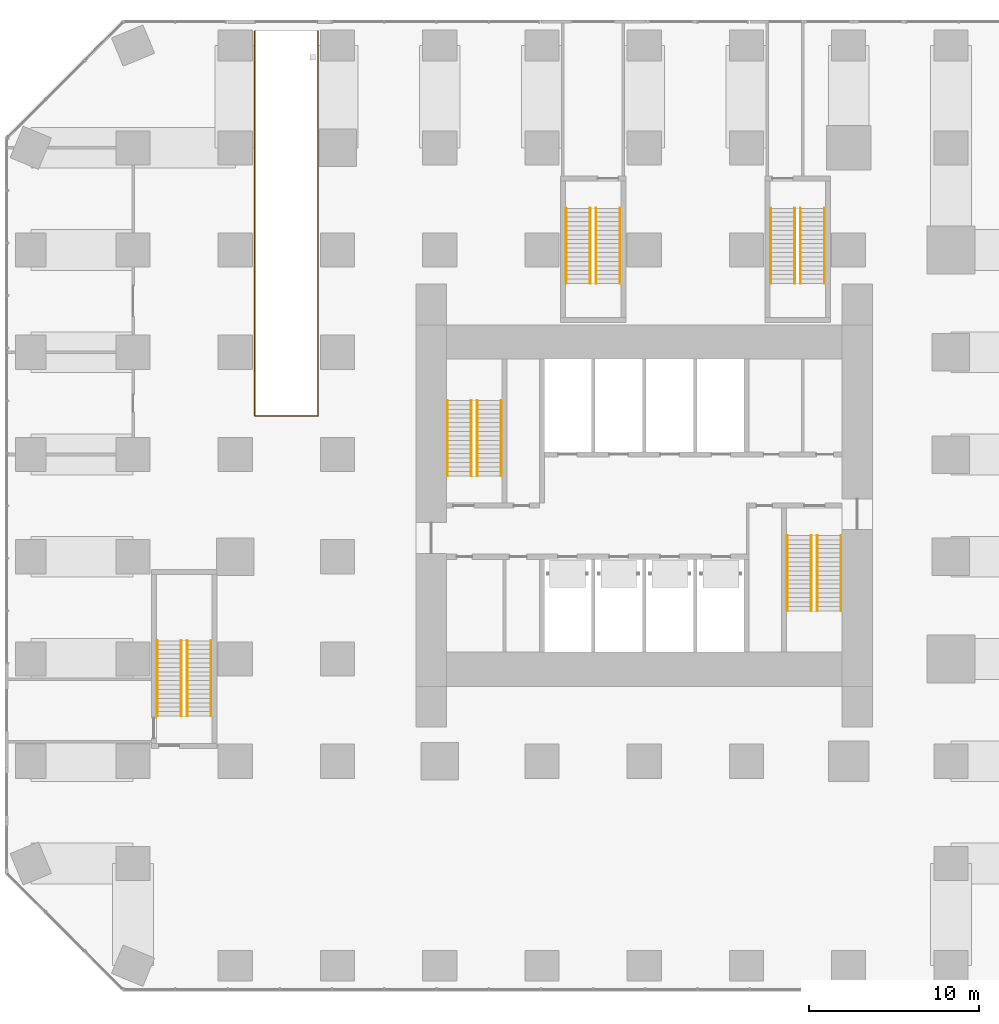
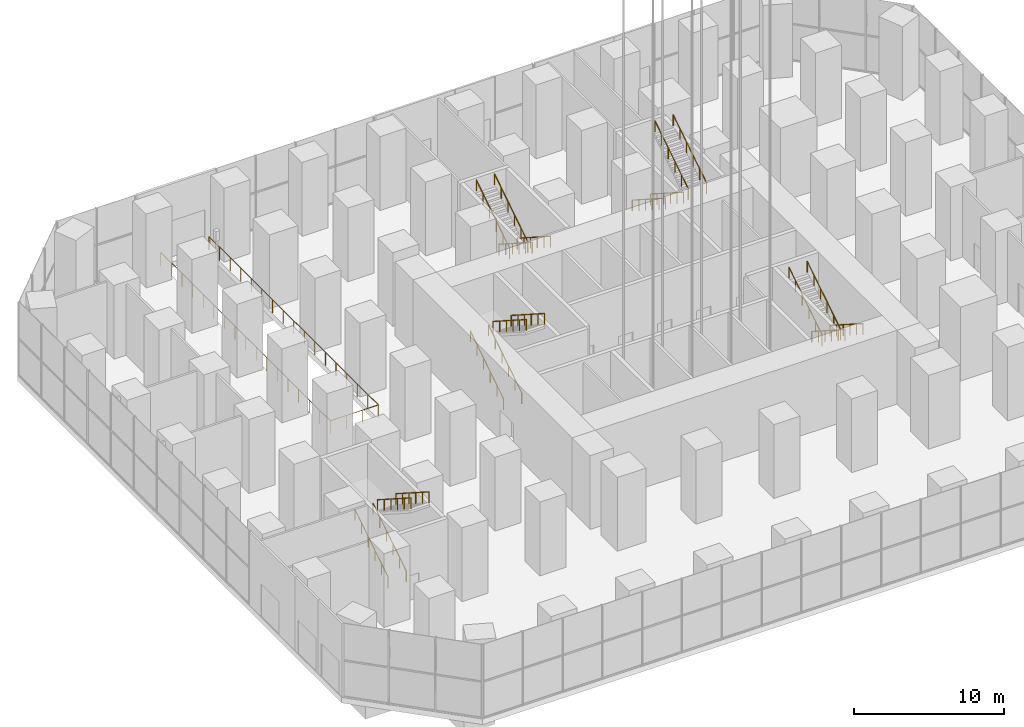
# One storey, part 16 of 21: 21 railings.
"""IFC4 building model written with IfcOpenShell, lengths in metres."""

from ifc_helpers import new_model, si_unit, direction, frame, origin, origin_2d, place, context, subcontext, project, spatial, circle, extrude, material, type_object, element, save


model = new_model("IFC4")

# Units and contexts
model_context = context("Model", 3, precision=1e-05, world=origin(), true_north=direction((0.0, 1.0)))
body_context = subcontext(model_context, "Body", "Model", "MODEL_VIEW")
ifc_project = project(units=[si_unit("LENGTHUNIT", "METRE"), si_unit("AREAUNIT", "SQUARE_METRE"), si_unit("VOLUMEUNIT", "CUBIC_METRE"), si_unit("PLANEANGLEUNIT", "RADIAN"), si_unit("MASSUNIT", "GRAM", prefix="KILO")], contexts=[model_context])

# Site, building, storey
site_placement = place(None, origin())
site = spatial("IfcSite", under=ifc_project, at=site_placement, CompositionType="ELEMENT")
building_placement = place(site_placement, origin())
building = spatial("IfcBuilding", under=site, at=building_placement, Name="Highveld Stack Headquarters", CompositionType="ELEMENT")
storey_placement = place(building_placement, origin())
storey = spatial("IfcBuildingStorey", under=building, at=storey_placement, Name="L00", CompositionType="ELEMENT", Elevation=0.0)

# Railings
ifc_material_1 = material(Name="Steel balustrade, powder coated", Category="steel")
railing_type_1 = type_object("IfcRailingType", Name="RAMP GUARD GR3 1100", PredefinedType="GUARDRAIL", material=ifc_material_1)
railing_placement = place(storey_placement, frame((-16.85009765625, 30.85009765625, 0.0)))
element("IfcRailing", 1, at=railing_placement, inside=storey, type_object=railing_type_1, Name="Ramp opening guard L00 R1 1", PredefinedType="GUARDRAIL", context=body_context, shape_type="SweptSolid", body=[
    extrude(circle(Radius=0.02392578125, at=origin_2d()), frame((0.0, 0.0, 1.076171875), z_axis=(0.0, -1.0, 0.0), x_axis=(1.0, 0.0, 0.0)), (0.0, 0.0, 1.0), 22.58447265625),
    extrude(circle(Radius=0.02392578125, at=origin_2d()), frame((0.0, -22.58447265625, 1.076171875), z_axis=(1.0, 0.0, 0.0), x_axis=(0.0, 1.0, 0.0)), (0.0, 0.0, 1.0), 3.7001953125),
    extrude(circle(Radius=0.02392578125, at=origin_2d()), frame((3.7001953125, -22.58447265625, 1.076171875), z_axis=(0.0, 1.0, 0.0), x_axis=(-1.0, 0.0, 0.0)), (0.0, 0.0, 1.0), 22.58447265625),
    extrude(circle(Radius=0.02099609375, at=origin_2d()), origin(), (0.0, 0.0, 1.0), 1.052001953125),
    extrude(circle(Radius=0.02099609375, at=origin_2d()), frame((0.0, -1.41162109375, 0.0)), (0.0, 0.0, 1.0), 1.052001953125),
    extrude(circle(Radius=0.02099609375, at=origin_2d()), frame((0.0, -2.822998046875, 0.0)), (0.0, 0.0, 1.0), 1.052001953125),
    extrude(circle(Radius=0.02099609375, at=origin_2d()), frame((0.0, -4.234619140625, 0.0)), (0.0, 0.0, 1.0), 1.052001953125),
    extrude(circle(Radius=0.02099609375, at=origin_2d()), frame((0.0, -5.64599609375, 0.0)), (0.0, 0.0, 1.0), 1.052001953125),
    extrude(circle(Radius=0.02099609375, at=origin_2d()), frame((0.0, -7.0576171875, 0.0)), (0.0, 0.0, 1.0), 1.052001953125),
    extrude(circle(Radius=0.02099609375, at=origin_2d()), frame((0.0, -8.46923828125, 0.0)), (0.0, 0.0, 1.0), 1.052001953125),
    extrude(circle(Radius=0.02099609375, at=origin_2d()), frame((0.0, -9.880615234375, 0.0)), (0.0, 0.0, 1.0), 1.052001953125),
    extrude(circle(Radius=0.02099609375, at=origin_2d()), frame((0.0, -11.292236328125, 0.0)), (0.0, 0.0, 1.0), 1.052001953125),
    extrude(circle(Radius=0.02099609375, at=origin_2d()), frame((0.0, -12.703857421875, 0.0)), (0.0, 0.0, 1.0), 1.052001953125),
    extrude(circle(Radius=0.02099609375, at=origin_2d()), frame((0.0, -14.115234375, 0.0)), (0.0, 0.0, 1.0), 1.052001953125),
    extrude(circle(Radius=0.02099609375, at=origin_2d()), frame((0.0, -15.52685546875, 0.0)), (0.0, 0.0, 1.0), 1.052001953125),
    extrude(circle(Radius=0.02099609375, at=origin_2d()), frame((0.0, -16.9384765625, 0.0)), (0.0, 0.0, 1.0), 1.052001953125),
    extrude(circle(Radius=0.02099609375, at=origin_2d()), frame((0.0, -18.349853515625, 0.0)), (0.0, 0.0, 1.0), 1.052001953125),
    extrude(circle(Radius=0.02099609375, at=origin_2d()), frame((0.0, -19.761474609375, 0.0)), (0.0, 0.0, 1.0), 1.052001953125),
    extrude(circle(Radius=0.02099609375, at=origin_2d()), frame((0.0, -21.1728515625, 0.0)), (0.0, 0.0, 1.0), 1.052001953125),
    extrude(circle(Radius=0.02099609375, at=origin_2d()), frame((0.0, -22.58447265625, 0.0)), (0.0, 0.0, 1.0), 1.052001953125),
    extrude(circle(Radius=0.02099609375, at=origin_2d()), frame((1.2333984375, -22.58447265625, 0.0)), (0.0, 0.0, 1.0), 1.052001953125),
    extrude(circle(Radius=0.02099609375, at=origin_2d()), frame((2.466796875, -22.58447265625, 0.0)), (0.0, 0.0, 1.0), 1.052001953125),
    extrude(circle(Radius=0.02099609375, at=origin_2d()), frame((3.7001953125, -22.58447265625, 0.0)), (0.0, 0.0, 1.0), 1.052001953125),
    extrude(circle(Radius=0.02099609375, at=origin_2d()), frame((3.7001953125, -21.1728515625, 0.0)), (0.0, 0.0, 1.0), 1.052001953125),
    extrude(circle(Radius=0.02099609375, at=origin_2d()), frame((3.7001953125, -19.761474609375, 0.0)), (0.0, 0.0, 1.0), 1.052001953125),
    extrude(circle(Radius=0.02099609375, at=origin_2d()), frame((3.7001953125, -18.349853515625, 0.0)), (0.0, 0.0, 1.0), 1.052001953125),
    extrude(circle(Radius=0.02099609375, at=origin_2d()), frame((3.7001953125, -16.9384765625, 0.0)), (0.0, 0.0, 1.0), 1.052001953125),
    extrude(circle(Radius=0.02099609375, at=origin_2d()), frame((3.7001953125, -15.52685546875, 0.0)), (0.0, 0.0, 1.0), 1.052001953125),
    extrude(circle(Radius=0.02099609375, at=origin_2d()), frame((3.7001953125, -14.115234375, 0.0)), (0.0, 0.0, 1.0), 1.052001953125),
    extrude(circle(Radius=0.02099609375, at=origin_2d()), frame((3.7001953125, -12.703857421875, 0.0)), (0.0, 0.0, 1.0), 1.052001953125),
    extrude(circle(Radius=0.02099609375, at=origin_2d()), frame((3.7001953125, -11.292236328125, 0.0)), (0.0, 0.0, 1.0), 1.052001953125),
    extrude(circle(Radius=0.02099609375, at=origin_2d()), frame((3.7001953125, -9.880615234375, 0.0)), (0.0, 0.0, 1.0), 1.052001953125),
    extrude(circle(Radius=0.02099609375, at=origin_2d()), frame((3.7001953125, -8.46923828125, 0.0)), (0.0, 0.0, 1.0), 1.052001953125),
    extrude(circle(Radius=0.02099609375, at=origin_2d()), frame((3.7001953125, -7.0576171875, 0.0)), (0.0, 0.0, 1.0), 1.052001953125),
    extrude(circle(Radius=0.02099609375, at=origin_2d()), frame((3.7001953125, -5.64599609375, 0.0)), (0.0, 0.0, 1.0), 1.052001953125),
    extrude(circle(Radius=0.02099609375, at=origin_2d()), frame((3.7001953125, -4.234619140625, 0.0)), (0.0, 0.0, 1.0), 1.052001953125),
    extrude(circle(Radius=0.02099609375, at=origin_2d()), frame((3.7001953125, -2.822998046875, 0.0)), (0.0, 0.0, 1.0), 1.052001953125),
    extrude(circle(Radius=0.02099609375, at=origin_2d()), frame((3.7001953125, -1.41162109375, 0.0)), (0.0, 0.0, 1.0), 1.052001953125),
    extrude(circle(Radius=0.02099609375, at=origin_2d()), frame((3.7001953125, 0.0, 0.0)), (0.0, 0.0, 1.0), 1.052001953125),
])
ifc_material_2 = material(Name="Stainless steel handrail", Category="steel")
railing_type_2 = type_object("IfcRailingType", Name="STAIR HANDRAIL HR1 900", PredefinedType="HANDRAIL", material=ifc_material_2)
for number, where, name in (
    (2, (-5.550048828125, 4.75, 0.166748046875), "Handrail S1 L00 flight 1"),
    (3, (-4.14990234375, 4.75, 0.166748046875), "Handrail S1 L00 flight 1"),
):
    element("IfcRailing", number, at=place(storey_placement, frame(where)), inside=storey, type_object=railing_type_2, Name=name, PredefinedType="HANDRAIL", context=body_context, shape_type="SweptSolid", body=[
        extrude(circle(Radius=0.02392578125, at=origin_2d()), frame((0.0, 0.0, 0.8759765625), z_axis=(0.0, 0.841881847628, 0.539661889181), x_axis=(-1.0, 0.0, 0.0)), (0.0, 0.0, 1.0), 5.25),
        extrude(circle(Radius=0.02099609375, at=origin_2d()), origin(), (0.0, 0.0, 1.0), 0.851806640625),
        extrude(circle(Radius=0.02099609375, at=origin_2d()), frame((0.0, 0.884033203125, 0.566650390625)), (0.0, 0.0, 1.0), 0.851806640625),
        extrude(circle(Radius=0.02099609375, at=origin_2d()), frame((0.0, 1.76806640625, 1.13330078125)), (0.0, 0.0, 1.0), 0.851806640625),
        extrude(circle(Radius=0.02099609375, at=origin_2d()), frame((0.0, 2.65185546875, 1.699951171875)), (0.0, 0.0, 1.0), 0.851806640625),
        extrude(circle(Radius=0.02099609375, at=origin_2d()), frame((0.0, 3.535888671875, 2.2666015625)), (0.0, 0.0, 1.0), 0.851806640625),
        extrude(circle(Radius=0.02099609375, at=origin_2d()), frame((0.0, 4.419921875, 2.833251953125)), (0.0, 0.0, 1.0), 0.851806640625),
    ])
for number, where, name in (
    (4, (-3.800048828125, 9.169921875, 3.166748046875), "Handrail S1 L00 flight 2"),
    (5, (-2.39990234375, 9.169921875, 3.166748046875), "Handrail S1 L00 flight 2"),
    (6, (16.14990234375, 1.25, 0.166748046875), "Handrail S2 L00 flight 1"),
    (7, (17.550048828125, 1.25, 0.166748046875), "Handrail S2 L00 flight 1"),
):
    element("IfcRailing", number, at=place(storey_placement, frame(where)), inside=storey, type_object=railing_type_2, Name=name, PredefinedType="HANDRAIL", context=body_context, shape_type="SweptSolid", body=[
        extrude(circle(Radius=0.02392578125, at=origin_2d()), frame((0.0, 0.0, 0.8759765625), z_axis=(0.0, -0.841881847628, 0.539661889181), x_axis=(1.0, 0.0, 0.0)), (0.0, 0.0, 1.0), 5.25),
        extrude(circle(Radius=0.02099609375, at=origin_2d()), origin(), (0.0, 0.0, 1.0), 0.851806640625),
        extrude(circle(Radius=0.02099609375, at=origin_2d()), frame((0.0, -0.884033203125, 0.566650390625)), (0.0, 0.0, 1.0), 0.851806640625),
        extrude(circle(Radius=0.02099609375, at=origin_2d()), frame((0.0, -1.76806640625, 1.13330078125)), (0.0, 0.0, 1.0), 0.851806640625),
        extrude(circle(Radius=0.02099609375, at=origin_2d()), frame((0.0, -2.65185546875, 1.699951171875)), (0.0, 0.0, 1.0), 0.851806640625),
        extrude(circle(Radius=0.02099609375, at=origin_2d()), frame((0.0, -3.535888671875, 2.2666015625)), (0.0, 0.0, 1.0), 0.851806640625),
        extrude(circle(Radius=0.02099609375, at=origin_2d()), frame((0.0, -4.419921875, 2.833251953125)), (0.0, 0.0, 1.0), 0.851806640625),
    ])
for number, where, name in (
    (8, (14.39990234375, -3.169921875, 3.166748046875), "Handrail S2 L00 flight 2"),
    (9, (15.800048828125, -3.169921875, 3.166748046875), "Handrail S2 L00 flight 2"),
):
    element("IfcRailing", number, at=place(storey_placement, frame(where)), inside=storey, type_object=railing_type_2, Name=name, PredefinedType="HANDRAIL", context=body_context, shape_type="SweptSolid", body=[
        extrude(circle(Radius=0.02392578125, at=origin_2d()), frame((0.0, 0.0, 0.8759765625), z_axis=(0.0, 0.841881847628, 0.539661889181), x_axis=(-1.0, 0.0, 0.0)), (0.0, 0.0, 1.0), 5.25),
        extrude(circle(Radius=0.02099609375, at=origin_2d()), origin(), (0.0, 0.0, 1.0), 0.851806640625),
        extrude(circle(Radius=0.02099609375, at=origin_2d()), frame((0.0, 0.884033203125, 0.566650390625)), (0.0, 0.0, 1.0), 0.851806640625),
        extrude(circle(Radius=0.02099609375, at=origin_2d()), frame((0.0, 1.76806640625, 1.13330078125)), (0.0, 0.0, 1.0), 0.851806640625),
        extrude(circle(Radius=0.02099609375, at=origin_2d()), frame((0.0, 2.65185546875, 1.699951171875)), (0.0, 0.0, 1.0), 0.851806640625),
        extrude(circle(Radius=0.02099609375, at=origin_2d()), frame((0.0, 3.535888671875, 2.2666015625)), (0.0, 0.0, 1.0), 0.851806640625),
        extrude(circle(Radius=0.02099609375, at=origin_2d()), frame((0.0, 4.419921875, 2.833251953125)), (0.0, 0.0, 1.0), 0.851806640625),
    ])
for number, where, name in (
    (10, (-22.574951171875, -9.35009765625, 0.166748046875), "Handrail PS1 L00 flight 1"),
    (11, (-21.175048828125, -9.35009765625, 0.166748046875), "Handrail PS1 L00 flight 1"),
):
    element("IfcRailing", number, at=place(storey_placement, frame(where)), inside=storey, type_object=railing_type_2, Name=name, PredefinedType="HANDRAIL", context=body_context, shape_type="SweptSolid", body=[
        extrude(circle(Radius=0.02392578125, at=origin_2d()), frame((0.0, 0.0, 0.8759765625), z_axis=(0.0, 0.841895389996, 0.53964076227), x_axis=(-1.0, 0.0, 0.0)), (0.0, 0.0, 1.0), 5.250244140625),
        extrude(circle(Radius=0.02099609375, at=origin_2d()), origin(), (0.0, 0.0, 1.0), 0.851806640625),
        extrude(circle(Radius=0.02099609375, at=origin_2d()), frame((0.0, 0.884033203125, 0.566650390625)), (0.0, 0.0, 1.0), 0.851806640625),
        extrude(circle(Radius=0.02099609375, at=origin_2d()), frame((0.0, 1.76806640625, 1.13330078125)), (0.0, 0.0, 1.0), 0.851806640625),
        extrude(circle(Radius=0.02099609375, at=origin_2d()), frame((0.0, 2.652099609375, 1.699951171875)), (0.0, 0.0, 1.0), 0.851806640625),
        extrude(circle(Radius=0.02099609375, at=origin_2d()), frame((0.0, 3.5361328125, 2.2666015625)), (0.0, 0.0, 1.0), 0.851806640625),
        extrude(circle(Radius=0.02099609375, at=origin_2d()), frame((0.0, 4.420166015625, 2.833251953125)), (0.0, 0.0, 1.0), 0.851806640625),
    ])
for number, where, name in (
    (12, (-20.824951171875, -4.929931640625, 3.166748046875), "Handrail PS1 L00 flight 2"),
    (13, (-19.425048828125, -4.929931640625, 3.166748046875), "Handrail PS1 L00 flight 2"),
):
    element("IfcRailing", number, at=place(storey_placement, frame(where)), inside=storey, type_object=railing_type_2, Name=name, PredefinedType="HANDRAIL", context=body_context, shape_type="SweptSolid", body=[
        extrude(circle(Radius=0.02392578125, at=origin_2d()), frame((0.0, 0.0, 0.8759765625), z_axis=(0.0, -0.841895389996, 0.53964076227), x_axis=(1.0, 0.0, 0.0)), (0.0, 0.0, 1.0), 5.250244140625),
        extrude(circle(Radius=0.02099609375, at=origin_2d()), origin(), (0.0, 0.0, 1.0), 0.851806640625),
        extrude(circle(Radius=0.02099609375, at=origin_2d()), frame((0.0, -0.884033203125, 0.566650390625)), (0.0, 0.0, 1.0), 0.851806640625),
        extrude(circle(Radius=0.02099609375, at=origin_2d()), frame((0.0, -1.76806640625, 1.13330078125)), (0.0, 0.0, 1.0), 0.851806640625),
        extrude(circle(Radius=0.02099609375, at=origin_2d()), frame((0.0, -2.652099609375, 1.699951171875)), (0.0, 0.0, 1.0), 0.851806640625),
        extrude(circle(Radius=0.02099609375, at=origin_2d()), frame((0.0, -3.5361328125, 2.2666015625)), (0.0, 0.0, 1.0), 0.851806640625),
        extrude(circle(Radius=0.02099609375, at=origin_2d()), frame((0.0, -4.420166015625, 2.833251953125)), (0.0, 0.0, 1.0), 0.851806640625),
    ])
for number, where, name in (
    (14, (13.425048828125, 20.449951171875, 0.166748046875), "Handrail PS2 L00 flight 1"),
    (15, (14.824951171875, 20.449951171875, 0.166748046875), "Handrail PS2 L00 flight 1"),
):
    element("IfcRailing", number, at=place(storey_placement, frame(where)), inside=storey, type_object=railing_type_2, Name=name, PredefinedType="HANDRAIL", context=body_context, shape_type="SweptSolid", body=[
        extrude(circle(Radius=0.02392578125, at=origin_2d()), frame((0.0, 0.0, 0.8759765625), z_axis=(0.0, -0.841881847628, 0.539661889181), x_axis=(1.0, 0.0, 0.0)), (0.0, 0.0, 1.0), 5.25),
        extrude(circle(Radius=0.02099609375, at=origin_2d()), origin(), (0.0, 0.0, 1.0), 0.851806640625),
        extrude(circle(Radius=0.02099609375, at=origin_2d()), frame((0.0, -0.884033203125, 0.566650390625)), (0.0, 0.0, 1.0), 0.851806640625),
        extrude(circle(Radius=0.02099609375, at=origin_2d()), frame((0.0, -1.76806640625, 1.13330078125)), (0.0, 0.0, 1.0), 0.851806640625),
        extrude(circle(Radius=0.02099609375, at=origin_2d()), frame((0.0, -2.65185546875, 1.699951171875)), (0.0, 0.0, 1.0), 0.851806640625),
        extrude(circle(Radius=0.02099609375, at=origin_2d()), frame((0.0, -3.535888671875, 2.2666015625)), (0.0, 0.0, 1.0), 0.851806640625),
        extrude(circle(Radius=0.02099609375, at=origin_2d()), frame((0.0, -4.419921875, 2.833251953125)), (0.0, 0.0, 1.0), 0.851806640625),
    ])
for number, where, name in (
    (16, (15.175048828125, 16.030029296875, 3.166748046875), "Handrail PS2 L00 flight 2"),
    (17, (16.574951171875, 16.030029296875, 3.166748046875), "Handrail PS2 L00 flight 2"),
):
    element("IfcRailing", number, at=place(storey_placement, frame(where)), inside=storey, type_object=railing_type_2, Name=name, PredefinedType="HANDRAIL", context=body_context, shape_type="SweptSolid", body=[
        extrude(circle(Radius=0.02392578125, at=origin_2d()), frame((0.0, 0.0, 0.8759765625), z_axis=(0.0, 0.841881847628, 0.539661889181), x_axis=(-1.0, 0.0, 0.0)), (0.0, 0.0, 1.0), 5.25),
        extrude(circle(Radius=0.02099609375, at=origin_2d()), origin(), (0.0, 0.0, 1.0), 0.851806640625),
        extrude(circle(Radius=0.02099609375, at=origin_2d()), frame((0.0, 0.884033203125, 0.566650390625)), (0.0, 0.0, 1.0), 0.851806640625),
        extrude(circle(Radius=0.02099609375, at=origin_2d()), frame((0.0, 1.76806640625, 1.13330078125)), (0.0, 0.0, 1.0), 0.851806640625),
        extrude(circle(Radius=0.02099609375, at=origin_2d()), frame((0.0, 2.65185546875, 1.699951171875)), (0.0, 0.0, 1.0), 0.851806640625),
        extrude(circle(Radius=0.02099609375, at=origin_2d()), frame((0.0, 3.535888671875, 2.2666015625)), (0.0, 0.0, 1.0), 0.851806640625),
        extrude(circle(Radius=0.02099609375, at=origin_2d()), frame((0.0, 4.419921875, 2.833251953125)), (0.0, 0.0, 1.0), 0.851806640625),
    ])
for number, where, name in (
    (18, (3.175048828125, 20.449951171875, 0.166748046875), "Handrail PS3 L00 flight 1"),
    (19, (4.574951171875, 20.449951171875, 0.166748046875), "Handrail PS3 L00 flight 1"),
):
    element("IfcRailing", number, at=place(storey_placement, frame(where)), inside=storey, type_object=railing_type_2, Name=name, PredefinedType="HANDRAIL", context=body_context, shape_type="SweptSolid", body=[
        extrude(circle(Radius=0.02392578125, at=origin_2d()), frame((0.0, 0.0, 0.8759765625), z_axis=(0.0, -0.841881847628, 0.539661889181), x_axis=(1.0, 0.0, 0.0)), (0.0, 0.0, 1.0), 5.25),
        extrude(circle(Radius=0.02099609375, at=origin_2d()), origin(), (0.0, 0.0, 1.0), 0.851806640625),
        extrude(circle(Radius=0.02099609375, at=origin_2d()), frame((0.0, -0.884033203125, 0.566650390625)), (0.0, 0.0, 1.0), 0.851806640625),
        extrude(circle(Radius=0.02099609375, at=origin_2d()), frame((0.0, -1.76806640625, 1.13330078125)), (0.0, 0.0, 1.0), 0.851806640625),
        extrude(circle(Radius=0.02099609375, at=origin_2d()), frame((0.0, -2.65185546875, 1.699951171875)), (0.0, 0.0, 1.0), 0.851806640625),
        extrude(circle(Radius=0.02099609375, at=origin_2d()), frame((0.0, -3.535888671875, 2.2666015625)), (0.0, 0.0, 1.0), 0.851806640625),
        extrude(circle(Radius=0.02099609375, at=origin_2d()), frame((0.0, -4.419921875, 2.833251953125)), (0.0, 0.0, 1.0), 0.851806640625),
    ])
for number, where, name in (
    (20, (1.425048828125, 16.030029296875, 3.166748046875), "Handrail PS3 L00 flight 2"),
    (21, (2.824951171875, 16.030029296875, 3.166748046875), "Handrail PS3 L00 flight 2"),
):
    element("IfcRailing", number, at=place(storey_placement, frame(where)), inside=storey, type_object=railing_type_2, Name=name, PredefinedType="HANDRAIL", context=body_context, shape_type="SweptSolid", body=[
        extrude(circle(Radius=0.02392578125, at=origin_2d()), frame((0.0, 0.0, 0.8759765625), z_axis=(0.0, 0.841881847628, 0.539661889181), x_axis=(-1.0, 0.0, 0.0)), (0.0, 0.0, 1.0), 5.25),
        extrude(circle(Radius=0.02099609375, at=origin_2d()), origin(), (0.0, 0.0, 1.0), 0.851806640625),
        extrude(circle(Radius=0.02099609375, at=origin_2d()), frame((0.0, 0.884033203125, 0.566650390625)), (0.0, 0.0, 1.0), 0.851806640625),
        extrude(circle(Radius=0.02099609375, at=origin_2d()), frame((0.0, 1.76806640625, 1.13330078125)), (0.0, 0.0, 1.0), 0.851806640625),
        extrude(circle(Radius=0.02099609375, at=origin_2d()), frame((0.0, 2.65185546875, 1.699951171875)), (0.0, 0.0, 1.0), 0.851806640625),
        extrude(circle(Radius=0.02099609375, at=origin_2d()), frame((0.0, 3.535888671875, 2.2666015625)), (0.0, 0.0, 1.0), 0.851806640625),
        extrude(circle(Radius=0.02099609375, at=origin_2d()), frame((0.0, 4.419921875, 2.833251953125)), (0.0, 0.0, 1.0), 0.851806640625),
    ])

save(model, "model.ifc")
